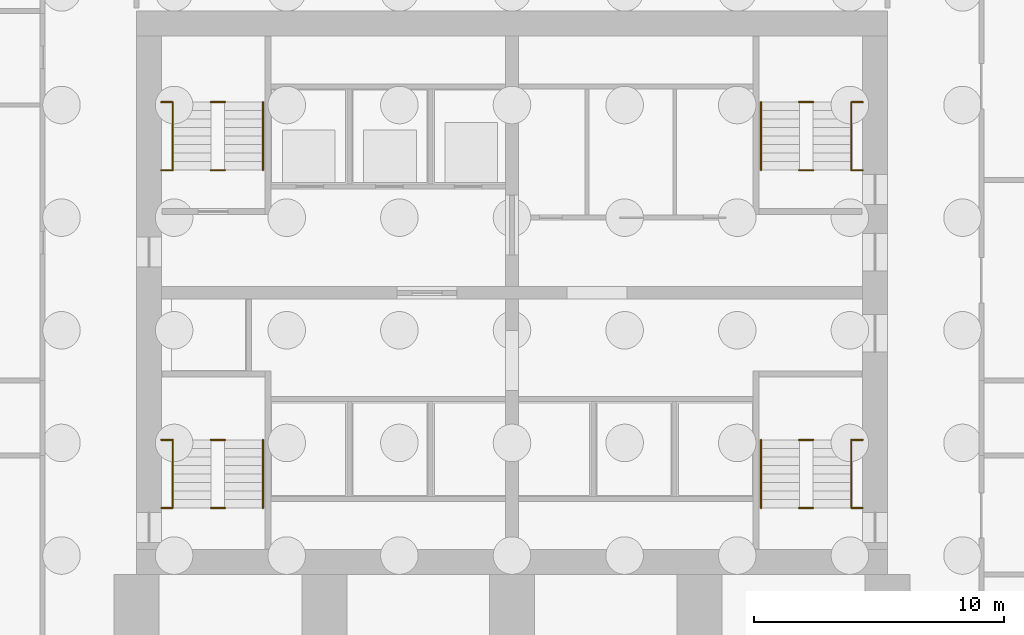
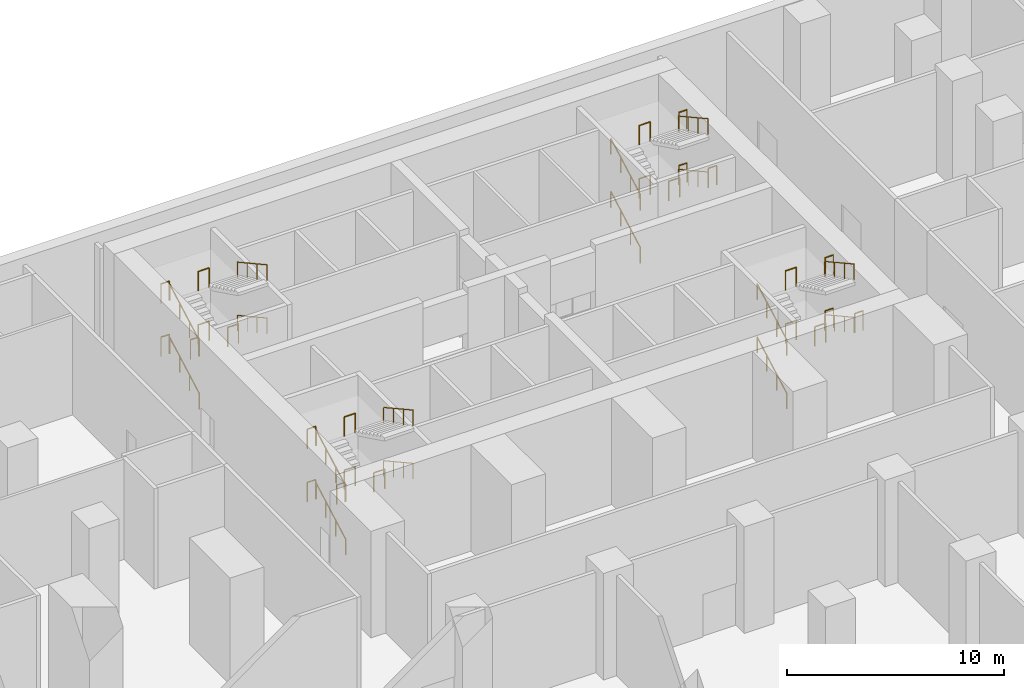
# One storey, part 8 of 9: 40 railings.
"""IFC4 building model written with IfcOpenShell, lengths in metres."""

import ifcopenshell
import ifcopenshell.guid

model = None  # the IFC model being written
_history = None  # IfcOwnerHistory: only IFC2X3 demands one
_inside = {}  # id of a spatial element -> (the spatial element, [elements in it])
_under = {}  # id of a project, library or spatial element -> (it, [spatial elements below it])
_declared = {}  # id of a project -> (the project, [libraries it declares])
_typed = {}  # id of a type object -> (the type object, [elements of that type])
_made_of = {}  # id of a material, layer set ... -> (it, [elements and type objects made of it])


def new_model(schema):
    """Start an empty IFC model of exactly this schema.

    Asked for "IFC4X3", IfcOpenShell would pick the latest addendum, in which some entities
    have other attributes; the version numbers below select the first issue.
    IFC2X3 requires an IfcOwnerHistory on every rooted entity: one is made here for all.
    """
    global model, _history
    if schema == "IFC4X3":
        model = ifcopenshell.file(schema_version=(4, 3, 0, 0))
    else:
        model = ifcopenshell.file(schema=schema)
    _inside.clear()
    _under.clear()
    _declared.clear()
    _typed.clear()
    _made_of.clear()
    _history = None
    if model.schema == "IFC2X3":
        org = make("IfcOrganization", Name="unknown")
        user = make(
            "IfcPersonAndOrganization",
            ThePerson=make("IfcPerson", FamilyName="unknown"),
            TheOrganization=org,
        )
        app = make(
            "IfcApplication",
            ApplicationDeveloper=org,
            Version="unknown",
            ApplicationFullName="unknown",
            ApplicationIdentifier="unknown",
        )
        _history = make(
            "IfcOwnerHistory",
            OwningUser=user,
            OwningApplication=app,
            ChangeAction="ADDED",
            CreationDate=0,
        )
    return model


def make(cls, **values):
    """One entity of the class cls with the attributes given. An attribute that is None is left unset."""
    return model.create_entity(
        cls, **{name: value for name, value in values.items() if value is not None}
    )


def rooted(cls, **values):
    """An entity with a GlobalId (a new one), such as an element, a storey or a relation."""
    return make(cls, GlobalId=ifcopenshell.guid.new(), OwnerHistory=_history, **values)


def si_unit(unit_type, name, prefix=None):
    """IfcSIUnit, for example si_unit("LENGTHUNIT", "METRE", prefix="MILLI")."""
    return make("IfcSIUnit", UnitType=unit_type, Prefix=prefix, Name=name)


def assignment(units):
    """IfcUnitAssignment: the units of a project."""
    return None if units is None else make("IfcUnitAssignment", Units=units)


def point(xyz):
    """IfcCartesianPoint."""
    return None if xyz is None else make("IfcCartesianPoint", Coordinates=xyz)


def direction(xyz):
    """IfcDirection."""
    return None if xyz is None else make("IfcDirection", DirectionRatios=xyz)


def frame(location, z_axis=None, x_axis=None):
    """IfcAxis2Placement3D, a coordinate frame: its origin and axes. An axis left out is left unset."""
    return make(
        "IfcAxis2Placement3D",
        Location=point(location),
        Axis=direction(z_axis),
        RefDirection=direction(x_axis),
    )


def frame_2d(location, x_axis=None):
    """IfcAxis2Placement2D, a coordinate frame in the plane: its origin and x axis."""
    return make(
        "IfcAxis2Placement2D", Location=point(location), RefDirection=direction(x_axis)
    )


def origin():
    """The frame at (0, 0, 0) with its axes left unset."""
    return frame((0.0, 0.0, 0.0))


def origin_2d():
    """The frame at (0, 0) in the plane with its x axis left unset."""
    return frame_2d((0.0, 0.0))


def place(relative_to, where):
    """IfcLocalPlacement: puts the frame where relative to a parent placement (None: the world)."""
    return make(
        "IfcLocalPlacement", PlacementRelTo=relative_to, RelativePlacement=where
    )


def context(
    kind, dimensions, precision=None, world=None, true_north=None, identifier=None
):
    """IfcGeometricRepresentationContext, for example the 3D "Model" context."""
    return make(
        "IfcGeometricRepresentationContext",
        ContextIdentifier=identifier,
        ContextType=kind,
        CoordinateSpaceDimension=dimensions,
        Precision=precision,
        WorldCoordinateSystem=world,
        TrueNorth=true_north,
    )


def subcontext(parent, identifier, kind, view, scale=None):
    """IfcGeometricRepresentationSubContext, for example "Body" below "Model"."""
    return make(
        "IfcGeometricRepresentationSubContext",
        ContextIdentifier=identifier,
        ContextType=kind,
        ParentContext=parent,
        TargetScale=scale,
        TargetView=view,
    )


def project(units=None, contexts=None):
    """IfcProject with its units and contexts."""
    return rooted(
        "IfcProject",
        Name="project",
        RepresentationContexts=contexts,
        UnitsInContext=assignment(units),
    )


def spatial(cls, under=None, at=None, **own):
    """A site, building, storey or space (cls), placed at a placement, below another one or the project."""
    s = rooted(cls, ObjectPlacement=at, **own)
    if under is not None:
        _under.setdefault(under.id(), (under, []))[1].append(s)
    return s


def profile(cls, at=None, kind="AREA", **sizes):
    """A parametric profile (cls). Its sizes go by their IFC names, for example OverallWidth=200.0."""
    return make(cls, ProfileType=kind, Position=at, **sizes)


def circle(**sizes):
    """IfcCircleProfileDef."""
    return profile("IfcCircleProfileDef", **sizes)


def extrude(swept, where, along, depth):
    """IfcExtrudedAreaSolid: the profile swept, set in the frame where, extruded along a direction by depth."""
    return make(
        "IfcExtrudedAreaSolid",
        SweptArea=swept,
        Position=where,
        ExtrudedDirection=direction(along),
        Depth=depth,
    )


def shape(context_of_items, identifier, shape_type, items):
    """IfcShapeRepresentation: the items that make up one representation, for example the "Body"."""
    return make(
        "IfcShapeRepresentation",
        ContextOfItems=context_of_items,
        RepresentationIdentifier=identifier,
        RepresentationType=shape_type,
        Items=items,
    )


def material(Name=None, Category=None):
    """IfcMaterial."""
    return make("IfcMaterial", Name=Name, Category=Category)


def made_of(thing, what):
    """Note that an element or type object is made of a material, layer set ...; save() writes the relation."""
    if what is not None:
        _made_of.setdefault(what.id(), (what, []))[1].append(thing)
    return thing


def type_object(cls, material=None, **own):
    """A type object (cls), such as IfcWallType, which elements share."""
    return made_of(rooted(cls, **own), material)


def element(
    cls,
    number,
    at=None,
    inside=None,
    cuts=None,
    type_object=None,
    material=None,
    context=None,
    identifier="Body",
    shape_type=None,
    held_by="IfcProductDefinitionShape",
    body=None,
    shapes=None,
    **own,
):
    """One element of the class cls, such as IfcWall. Its Tag is "e" and its number.

    at: its placement. inside: the storey or other place that contains it. cuts: it is an
    opening in that element (IfcRelVoidsElement). A single representation is given by context,
    identifier, shape_type and body (its items); several are given by shapes. held_by: the class
    of the entity that holds the representations. save() writes the other relations.
    """
    e = rooted(cls, Tag="e%d" % number, ObjectPlacement=at, **own)
    if body is not None:
        shapes = [shape(context, identifier, shape_type, body)]
    if shapes is not None:
        e.Representation = make(held_by, Representations=shapes)
    if inside is not None:
        _inside.setdefault(inside.id(), (inside, []))[1].append(e)
    if cuts is not None:
        rooted(
            "IfcRelVoidsElement", RelatingBuildingElement=cuts, RelatedOpeningElement=e
        )
    if type_object is not None:
        _typed.setdefault(type_object.id(), (type_object, []))[1].append(e)
    return made_of(e, material)


def aggregate(whole, parts):
    """IfcRelAggregates: a whole, such as a stair, and the parts it consists of."""
    return rooted("IfcRelAggregates", RelatingObject=whole, RelatedObjects=parts)


def save(model, path):
    """Write the relations noted so far, then the file.

    IfcRelAggregates (storeys below a building ...), IfcRelContainedInSpatialStructure (elements
    in a storey), IfcRelDefinesByType, IfcRelAssociatesMaterial and IfcRelDeclares: one each for
    every whole, place, type object, material and project.
    """
    for whole, parts in _under.values():
        aggregate(whole, parts)
    for where, things in _inside.values():
        rooted(
            "IfcRelContainedInSpatialStructure",
            RelatedElements=things,
            RelatingStructure=where,
        )
    for kind, things in _typed.values():
        rooted("IfcRelDefinesByType", RelatedObjects=things, RelatingType=kind)
    for what, things in _made_of.values():
        rooted("IfcRelAssociatesMaterial", RelatedObjects=things, RelatingMaterial=what)
    for by, libraries in _declared.values():
        rooted("IfcRelDeclares", RelatingContext=by, RelatedDefinitions=libraries)
    model.write(path)


model = new_model("IFC4")

# Units and contexts
model_context = context("Model", 3, precision=1e-05, world=origin(), true_north=direction((0.0, 1.0)))
body_context = subcontext(model_context, "Body", "Model", "MODEL_VIEW")
ifc_project = project(units=[si_unit("LENGTHUNIT", "METRE"), si_unit("AREAUNIT", "SQUARE_METRE"), si_unit("VOLUMEUNIT", "CUBIC_METRE"), si_unit("PLANEANGLEUNIT", "RADIAN"), si_unit("MASSUNIT", "GRAM", prefix="KILO")], contexts=[model_context])

# Site, building, storey
site_placement = place(None, origin())
site = spatial("IfcSite", under=ifc_project, at=site_placement, CompositionType="ELEMENT")
building_placement = place(site_placement, origin())
building = spatial("IfcBuilding", under=site, at=building_placement, Name="Pilkhan Gate Tower", CompositionType="ELEMENT")
storey_placement = place(building_placement, frame((0.0, 0.0, -6.0)))
storey = spatial("IfcBuildingStorey", under=building, at=storey_placement, Name="B1", CompositionType="ELEMENT", Elevation=-6.0)

# Railings
ifc_material_1 = material(Name="Black powder-coated steel tube", Category="steel")
railing_type_1 = type_object("IfcRailingType", Name="Stair handrail HR1", PredefinedType="HANDRAIL", material=ifc_material_1)
railing_1_placement = place(storey_placement, frame((84.949951171875, 73.89990234375, 0.0)))
element("IfcRailing", 1, at=railing_1_placement, inside=storey, type_object=railing_type_1, Name="Stair ST1 handrail B1", PredefinedType="HANDRAIL", context=body_context, shape_type="SweptSolid", body=[
    extrude(circle(Radius=0.02392578125, at=origin_2d()), frame((0.0, 0.0, 0.8759765625), z_axis=(0.0, 0.875687706403, 0.482877873644), x_axis=(-1.0, 0.0, 0.0)), (0.0, 0.0, 1.0), 3.1064453125),
    extrude(circle(Radius=0.02099609375, at=origin_2d()), origin(), (0.0, 0.0, 1.0), 0.851806640625),
    extrude(circle(Radius=0.02099609375, at=origin_2d()), frame((0.0, 0.90673828125, 0.5)), (0.0, 0.0, 1.0), 0.851806640625),
    extrude(circle(Radius=0.02099609375, at=origin_2d()), frame((0.0, 1.8134765625, 1.0)), (0.0, 0.0, 1.0), 0.851806640625),
    extrude(circle(Radius=0.02099609375, at=origin_2d()), frame((0.0, 2.72021484375, 1.5)), (0.0, 0.0, 1.0), 0.851806640625),
])
railing_2_placement = place(storey_placement, frame((88.550048828125, 76.6201171875, 1.5)))
element("IfcRailing", 2, at=railing_2_placement, inside=storey, type_object=railing_type_1, Name="Stair ST1 handrail B1", PredefinedType="HANDRAIL", context=body_context, shape_type="SweptSolid", body=[
    extrude(circle(Radius=0.02392578125, at=origin_2d()), frame((0.0, 0.0, 0.8759765625), z_axis=(0.0, -0.875687706403, 0.482877873644), x_axis=(1.0, 0.0, 0.0)), (0.0, 0.0, 1.0), 3.1064453125),
    extrude(circle(Radius=0.02099609375, at=origin_2d()), origin(), (0.0, 0.0, 1.0), 0.851806640625),
    extrude(circle(Radius=0.02099609375, at=origin_2d()), frame((0.0, -0.90673828125, 0.5)), (0.0, 0.0, 1.0), 0.851806640625),
    extrude(circle(Radius=0.02099609375, at=origin_2d()), frame((0.0, -1.8134765625, 1.0)), (0.0, 0.0, 1.0), 0.851806640625),
    extrude(circle(Radius=0.02099609375, at=origin_2d()), frame((0.0, -2.72021484375, 1.5)), (0.0, 0.0, 1.0), 0.851806640625),
])
railing_3_placement = place(storey_placement, frame((84.949951171875, 73.89990234375, 3.0)))
element("IfcRailing", 3, at=railing_3_placement, inside=storey, type_object=railing_type_1, Name="Stair ST1 handrail B1", PredefinedType="HANDRAIL", context=body_context, shape_type="SweptSolid", body=[
    extrude(circle(Radius=0.02392578125, at=origin_2d()), frame((0.0, 0.0, 0.8759765625), z_axis=(0.0, 0.875687706403, 0.482877873644), x_axis=(-1.0, 0.0, 0.0)), (0.0, 0.0, 1.0), 3.1064453125),
    extrude(circle(Radius=0.02099609375, at=origin_2d()), origin(), (0.0, 0.0, 1.0), 0.851806640625),
    extrude(circle(Radius=0.02099609375, at=origin_2d()), frame((0.0, 0.90673828125, 0.5)), (0.0, 0.0, 1.0), 0.851806640625),
    extrude(circle(Radius=0.02099609375, at=origin_2d()), frame((0.0, 1.8134765625, 1.0)), (0.0, 0.0, 1.0), 0.851806640625),
    extrude(circle(Radius=0.02099609375, at=origin_2d()), frame((0.0, 2.72021484375, 1.5)), (0.0, 0.0, 1.0), 0.851806640625),
])
railing_4_placement = place(storey_placement, frame((88.550048828125, 76.6201171875, 4.5)))
element("IfcRailing", 4, at=railing_4_placement, inside=storey, type_object=railing_type_1, Name="Stair ST1 handrail B1", PredefinedType="HANDRAIL", context=body_context, shape_type="SweptSolid", body=[
    extrude(circle(Radius=0.02392578125, at=origin_2d()), frame((0.0, 0.0, 0.8759765625), z_axis=(0.0, -0.875687706403, 0.482877873644), x_axis=(1.0, 0.0, 0.0)), (0.0, 0.0, 1.0), 3.1064453125),
    extrude(circle(Radius=0.02099609375, at=origin_2d()), origin(), (0.0, 0.0, 1.0), 0.851806640625),
    extrude(circle(Radius=0.02099609375, at=origin_2d()), frame((0.0, -0.90673828125, 0.5)), (0.0, 0.0, 1.0), 0.851806640625),
    extrude(circle(Radius=0.02099609375, at=origin_2d()), frame((0.0, -1.8134765625, 1.0)), (0.0, 0.0, 1.0), 0.851806640625),
    extrude(circle(Radius=0.02099609375, at=origin_2d()), frame((0.0, -2.72021484375, 1.5)), (0.0, 0.0, 1.0), 0.851806640625),
])
railing_5_placement = place(storey_placement, frame((61.449951171875, 73.89990234375, 0.0)))
element("IfcRailing", 5, at=railing_5_placement, inside=storey, type_object=railing_type_1, Name="Stair ST2 handrail B1", PredefinedType="HANDRAIL", context=body_context, shape_type="SweptSolid", body=[
    extrude(circle(Radius=0.02392578125, at=origin_2d()), frame((0.0, 0.0, 0.8759765625), z_axis=(0.0, 0.875687706403, 0.482877873644), x_axis=(-1.0, 0.0, 0.0)), (0.0, 0.0, 1.0), 3.1064453125),
    extrude(circle(Radius=0.02099609375, at=origin_2d()), origin(), (0.0, 0.0, 1.0), 0.851806640625),
    extrude(circle(Radius=0.02099609375, at=origin_2d()), frame((0.0, 0.90673828125, 0.5)), (0.0, 0.0, 1.0), 0.851806640625),
    extrude(circle(Radius=0.02099609375, at=origin_2d()), frame((0.0, 1.8134765625, 1.0)), (0.0, 0.0, 1.0), 0.851806640625),
    extrude(circle(Radius=0.02099609375, at=origin_2d()), frame((0.0, 2.72021484375, 1.5)), (0.0, 0.0, 1.0), 0.851806640625),
])
railing_6_placement = place(storey_placement, frame((65.050048828125, 76.6201171875, 1.5)))
element("IfcRailing", 6, at=railing_6_placement, inside=storey, type_object=railing_type_1, Name="Stair ST2 handrail B1", PredefinedType="HANDRAIL", context=body_context, shape_type="SweptSolid", body=[
    extrude(circle(Radius=0.02392578125, at=origin_2d()), frame((0.0, 0.0, 0.8759765625), z_axis=(0.0, -0.875687706403, 0.482877873644), x_axis=(1.0, 0.0, 0.0)), (0.0, 0.0, 1.0), 3.1064453125),
    extrude(circle(Radius=0.02099609375, at=origin_2d()), origin(), (0.0, 0.0, 1.0), 0.851806640625),
    extrude(circle(Radius=0.02099609375, at=origin_2d()), frame((0.0, -0.90673828125, 0.5)), (0.0, 0.0, 1.0), 0.851806640625),
    extrude(circle(Radius=0.02099609375, at=origin_2d()), frame((0.0, -1.8134765625, 1.0)), (0.0, 0.0, 1.0), 0.851806640625),
    extrude(circle(Radius=0.02099609375, at=origin_2d()), frame((0.0, -2.72021484375, 1.5)), (0.0, 0.0, 1.0), 0.851806640625),
])
railing_7_placement = place(storey_placement, frame((61.449951171875, 73.89990234375, 3.0)))
element("IfcRailing", 7, at=railing_7_placement, inside=storey, type_object=railing_type_1, Name="Stair ST2 handrail B1", PredefinedType="HANDRAIL", context=body_context, shape_type="SweptSolid", body=[
    extrude(circle(Radius=0.02392578125, at=origin_2d()), frame((0.0, 0.0, 0.8759765625), z_axis=(0.0, 0.875687706403, 0.482877873644), x_axis=(-1.0, 0.0, 0.0)), (0.0, 0.0, 1.0), 3.1064453125),
    extrude(circle(Radius=0.02099609375, at=origin_2d()), origin(), (0.0, 0.0, 1.0), 0.851806640625),
    extrude(circle(Radius=0.02099609375, at=origin_2d()), frame((0.0, 0.90673828125, 0.5)), (0.0, 0.0, 1.0), 0.851806640625),
    extrude(circle(Radius=0.02099609375, at=origin_2d()), frame((0.0, 1.8134765625, 1.0)), (0.0, 0.0, 1.0), 0.851806640625),
    extrude(circle(Radius=0.02099609375, at=origin_2d()), frame((0.0, 2.72021484375, 1.5)), (0.0, 0.0, 1.0), 0.851806640625),
])
railing_8_placement = place(storey_placement, frame((65.050048828125, 76.6201171875, 4.5)))
element("IfcRailing", 8, at=railing_8_placement, inside=storey, type_object=railing_type_1, Name="Stair ST2 handrail B1", PredefinedType="HANDRAIL", context=body_context, shape_type="SweptSolid", body=[
    extrude(circle(Radius=0.02392578125, at=origin_2d()), frame((0.0, 0.0, 0.8759765625), z_axis=(0.0, -0.875687706403, 0.482877873644), x_axis=(1.0, 0.0, 0.0)), (0.0, 0.0, 1.0), 3.1064453125),
    extrude(circle(Radius=0.02099609375, at=origin_2d()), origin(), (0.0, 0.0, 1.0), 0.851806640625),
    extrude(circle(Radius=0.02099609375, at=origin_2d()), frame((0.0, -0.90673828125, 0.5)), (0.0, 0.0, 1.0), 0.851806640625),
    extrude(circle(Radius=0.02099609375, at=origin_2d()), frame((0.0, -1.8134765625, 1.0)), (0.0, 0.0, 1.0), 0.851806640625),
    extrude(circle(Radius=0.02099609375, at=origin_2d()), frame((0.0, -2.72021484375, 1.5)), (0.0, 0.0, 1.0), 0.851806640625),
])
railing_9_placement = place(storey_placement, frame((61.449951171875, 87.39990234375, 0.0)))
element("IfcRailing", 9, at=railing_9_placement, inside=storey, type_object=railing_type_1, Name="Stair ST3 handrail B1", PredefinedType="HANDRAIL", context=body_context, shape_type="SweptSolid", body=[
    extrude(circle(Radius=0.02392578125, at=origin_2d()), frame((0.0, 0.0, 0.8759765625), z_axis=(0.0, 0.875687706403, 0.482877873644), x_axis=(-1.0, 0.0, 0.0)), (0.0, 0.0, 1.0), 3.1064453125),
    extrude(circle(Radius=0.02099609375, at=origin_2d()), origin(), (0.0, 0.0, 1.0), 0.851806640625),
    extrude(circle(Radius=0.02099609375, at=origin_2d()), frame((0.0, 0.90673828125, 0.5)), (0.0, 0.0, 1.0), 0.851806640625),
    extrude(circle(Radius=0.02099609375, at=origin_2d()), frame((0.0, 1.8134765625, 1.0)), (0.0, 0.0, 1.0), 0.851806640625),
    extrude(circle(Radius=0.02099609375, at=origin_2d()), frame((0.0, 2.72021484375, 1.5)), (0.0, 0.0, 1.0), 0.851806640625),
])
railing_10_placement = place(storey_placement, frame((65.050048828125, 90.1201171875, 1.5)))
element("IfcRailing", 10, at=railing_10_placement, inside=storey, type_object=railing_type_1, Name="Stair ST3 handrail B1", PredefinedType="HANDRAIL", context=body_context, shape_type="SweptSolid", body=[
    extrude(circle(Radius=0.02392578125, at=origin_2d()), frame((0.0, 0.0, 0.8759765625), z_axis=(0.0, -0.875687706403, 0.482877873644), x_axis=(1.0, 0.0, 0.0)), (0.0, 0.0, 1.0), 3.1064453125),
    extrude(circle(Radius=0.02099609375, at=origin_2d()), origin(), (0.0, 0.0, 1.0), 0.851806640625),
    extrude(circle(Radius=0.02099609375, at=origin_2d()), frame((0.0, -0.90673828125, 0.5)), (0.0, 0.0, 1.0), 0.851806640625),
    extrude(circle(Radius=0.02099609375, at=origin_2d()), frame((0.0, -1.8134765625, 1.0)), (0.0, 0.0, 1.0), 0.851806640625),
    extrude(circle(Radius=0.02099609375, at=origin_2d()), frame((0.0, -2.72021484375, 1.5)), (0.0, 0.0, 1.0), 0.851806640625),
])
railing_11_placement = place(storey_placement, frame((61.449951171875, 87.39990234375, 3.0)))
element("IfcRailing", 11, at=railing_11_placement, inside=storey, type_object=railing_type_1, Name="Stair ST3 handrail B1", PredefinedType="HANDRAIL", context=body_context, shape_type="SweptSolid", body=[
    extrude(circle(Radius=0.02392578125, at=origin_2d()), frame((0.0, 0.0, 0.8759765625), z_axis=(0.0, 0.875687706403, 0.482877873644), x_axis=(-1.0, 0.0, 0.0)), (0.0, 0.0, 1.0), 3.1064453125),
    extrude(circle(Radius=0.02099609375, at=origin_2d()), origin(), (0.0, 0.0, 1.0), 0.851806640625),
    extrude(circle(Radius=0.02099609375, at=origin_2d()), frame((0.0, 0.90673828125, 0.5)), (0.0, 0.0, 1.0), 0.851806640625),
    extrude(circle(Radius=0.02099609375, at=origin_2d()), frame((0.0, 1.8134765625, 1.0)), (0.0, 0.0, 1.0), 0.851806640625),
    extrude(circle(Radius=0.02099609375, at=origin_2d()), frame((0.0, 2.72021484375, 1.5)), (0.0, 0.0, 1.0), 0.851806640625),
])
railing_12_placement = place(storey_placement, frame((65.050048828125, 90.1201171875, 4.5)))
element("IfcRailing", 12, at=railing_12_placement, inside=storey, type_object=railing_type_1, Name="Stair ST3 handrail B1", PredefinedType="HANDRAIL", context=body_context, shape_type="SweptSolid", body=[
    extrude(circle(Radius=0.02392578125, at=origin_2d()), frame((0.0, 0.0, 0.8759765625), z_axis=(0.0, -0.875687706403, 0.482877873644), x_axis=(1.0, 0.0, 0.0)), (0.0, 0.0, 1.0), 3.1064453125),
    extrude(circle(Radius=0.02099609375, at=origin_2d()), origin(), (0.0, 0.0, 1.0), 0.851806640625),
    extrude(circle(Radius=0.02099609375, at=origin_2d()), frame((0.0, -0.90673828125, 0.5)), (0.0, 0.0, 1.0), 0.851806640625),
    extrude(circle(Radius=0.02099609375, at=origin_2d()), frame((0.0, -1.8134765625, 1.0)), (0.0, 0.0, 1.0), 0.851806640625),
    extrude(circle(Radius=0.02099609375, at=origin_2d()), frame((0.0, -2.72021484375, 1.5)), (0.0, 0.0, 1.0), 0.851806640625),
])
railing_13_placement = place(storey_placement, frame((84.949951171875, 87.39990234375, 0.0)))
element("IfcRailing", 13, at=railing_13_placement, inside=storey, type_object=railing_type_1, Name="Stair ST4 handrail B1", PredefinedType="HANDRAIL", context=body_context, shape_type="SweptSolid", body=[
    extrude(circle(Radius=0.02392578125, at=origin_2d()), frame((0.0, 0.0, 0.8759765625), z_axis=(0.0, 0.875687706403, 0.482877873644), x_axis=(-1.0, 0.0, 0.0)), (0.0, 0.0, 1.0), 3.1064453125),
    extrude(circle(Radius=0.02099609375, at=origin_2d()), origin(), (0.0, 0.0, 1.0), 0.851806640625),
    extrude(circle(Radius=0.02099609375, at=origin_2d()), frame((0.0, 0.90673828125, 0.5)), (0.0, 0.0, 1.0), 0.851806640625),
    extrude(circle(Radius=0.02099609375, at=origin_2d()), frame((0.0, 1.8134765625, 1.0)), (0.0, 0.0, 1.0), 0.851806640625),
    extrude(circle(Radius=0.02099609375, at=origin_2d()), frame((0.0, 2.72021484375, 1.5)), (0.0, 0.0, 1.0), 0.851806640625),
])
railing_14_placement = place(storey_placement, frame((88.550048828125, 90.1201171875, 1.5)))
element("IfcRailing", 14, at=railing_14_placement, inside=storey, type_object=railing_type_1, Name="Stair ST4 handrail B1", PredefinedType="HANDRAIL", context=body_context, shape_type="SweptSolid", body=[
    extrude(circle(Radius=0.02392578125, at=origin_2d()), frame((0.0, 0.0, 0.8759765625), z_axis=(0.0, -0.875687706403, 0.482877873644), x_axis=(1.0, 0.0, 0.0)), (0.0, 0.0, 1.0), 3.1064453125),
    extrude(circle(Radius=0.02099609375, at=origin_2d()), origin(), (0.0, 0.0, 1.0), 0.851806640625),
    extrude(circle(Radius=0.02099609375, at=origin_2d()), frame((0.0, -0.90673828125, 0.5)), (0.0, 0.0, 1.0), 0.851806640625),
    extrude(circle(Radius=0.02099609375, at=origin_2d()), frame((0.0, -1.8134765625, 1.0)), (0.0, 0.0, 1.0), 0.851806640625),
    extrude(circle(Radius=0.02099609375, at=origin_2d()), frame((0.0, -2.72021484375, 1.5)), (0.0, 0.0, 1.0), 0.851806640625),
])
railing_15_placement = place(storey_placement, frame((84.949951171875, 87.39990234375, 3.0)))
element("IfcRailing", 15, at=railing_15_placement, inside=storey, type_object=railing_type_1, Name="Stair ST4 handrail B1", PredefinedType="HANDRAIL", context=body_context, shape_type="SweptSolid", body=[
    extrude(circle(Radius=0.02392578125, at=origin_2d()), frame((0.0, 0.0, 0.8759765625), z_axis=(0.0, 0.875687706403, 0.482877873644), x_axis=(-1.0, 0.0, 0.0)), (0.0, 0.0, 1.0), 3.1064453125),
    extrude(circle(Radius=0.02099609375, at=origin_2d()), origin(), (0.0, 0.0, 1.0), 0.851806640625),
    extrude(circle(Radius=0.02099609375, at=origin_2d()), frame((0.0, 0.90673828125, 0.5)), (0.0, 0.0, 1.0), 0.851806640625),
    extrude(circle(Radius=0.02099609375, at=origin_2d()), frame((0.0, 1.8134765625, 1.0)), (0.0, 0.0, 1.0), 0.851806640625),
    extrude(circle(Radius=0.02099609375, at=origin_2d()), frame((0.0, 2.72021484375, 1.5)), (0.0, 0.0, 1.0), 0.851806640625),
])
railing_16_placement = place(storey_placement, frame((88.550048828125, 90.1201171875, 4.5)))
element("IfcRailing", 16, at=railing_16_placement, inside=storey, type_object=railing_type_1, Name="Stair ST4 handrail B1", PredefinedType="HANDRAIL", context=body_context, shape_type="SweptSolid", body=[
    extrude(circle(Radius=0.02392578125, at=origin_2d()), frame((0.0, 0.0, 0.8759765625), z_axis=(0.0, -0.875687706403, 0.482877873644), x_axis=(1.0, 0.0, 0.0)), (0.0, 0.0, 1.0), 3.1064453125),
    extrude(circle(Radius=0.02099609375, at=origin_2d()), origin(), (0.0, 0.0, 1.0), 0.851806640625),
    extrude(circle(Radius=0.02099609375, at=origin_2d()), frame((0.0, -0.90673828125, 0.5)), (0.0, 0.0, 1.0), 0.851806640625),
    extrude(circle(Radius=0.02099609375, at=origin_2d()), frame((0.0, -1.8134765625, 1.0)), (0.0, 0.0, 1.0), 0.851806640625),
    extrude(circle(Radius=0.02099609375, at=origin_2d()), frame((0.0, -2.72021484375, 1.5)), (0.0, 0.0, 1.0), 0.851806640625),
])
ifc_material_2 = material(Name="Black powder-coated steel balusters", Category="steel")
railing_type_2 = type_object("IfcRailingType", Name="Stair well guard G3", PredefinedType="GUARDRAIL", material=ifc_material_2)
for number, where, name in (
    (17, (88.580078125, 76.6201171875, 1.5), "Stair ST1 well guard B1"),
    (18, (88.580078125, 73.89990234375, 3.0), "Stair ST1 well guard B1"),
    (19, (88.580078125, 76.6201171875, 4.5), "Stair ST1 well guard B1"),
):
    element("IfcRailing", number, at=place(storey_placement, frame(where)), inside=storey, type_object=railing_type_2, Name=name, PredefinedType="GUARDRAIL", context=body_context, shape_type="SweptSolid", body=[
        extrude(circle(Radius=0.02392578125, at=origin_2d()), frame((0.0, 0.0, 1.076171875), z_axis=(1.0, 0.0, 0.0), x_axis=(0.0, 1.0, 0.0)), (0.0, 0.0, 1.0), 0.43994140625),
        extrude(circle(Radius=0.02099609375, at=origin_2d()), origin(), (0.0, 0.0, 1.0), 1.052001953125),
        extrude(circle(Radius=0.02099609375, at=origin_2d()), frame((0.43994140625, 0.0, 0.0)), (0.0, 0.0, 1.0), 1.052001953125),
    ])
for number, where, name in (
    (20, (86.4599609375, 76.6201171875, 1.5), "Stair ST1 well guard B1"),
    (21, (86.4599609375, 73.89990234375, 3.0), "Stair ST1 well guard B1"),
    (22, (86.4599609375, 76.6201171875, 4.5), "Stair ST1 well guard B1"),
):
    element("IfcRailing", number, at=place(storey_placement, frame(where)), inside=storey, type_object=railing_type_2, Name=name, PredefinedType="GUARDRAIL", context=body_context, shape_type="SweptSolid", body=[
        extrude(circle(Radius=0.02392578125, at=origin_2d()), frame((0.0, 0.0, 1.076171875), z_axis=(1.0, 0.0, 0.0), x_axis=(0.0, 1.0, 0.0)), (0.0, 0.0, 1.0), 0.580078125),
        extrude(circle(Radius=0.02099609375, at=origin_2d()), origin(), (0.0, 0.0, 1.0), 1.052001953125),
        extrude(circle(Radius=0.02099609375, at=origin_2d()), frame((0.580078125, 0.0, 0.0)), (0.0, 0.0, 1.0), 1.052001953125),
    ])
for number, where, name in (
    (23, (60.97998046875, 76.6201171875, 1.5), "Stair ST2 well guard B1"),
    (24, (60.97998046875, 73.89990234375, 3.0), "Stair ST2 well guard B1"),
    (25, (60.97998046875, 76.6201171875, 4.5), "Stair ST2 well guard B1"),
):
    element("IfcRailing", number, at=place(storey_placement, frame(where)), inside=storey, type_object=railing_type_2, Name=name, PredefinedType="GUARDRAIL", context=body_context, shape_type="SweptSolid", body=[
        extrude(circle(Radius=0.02392578125, at=origin_2d()), frame((0.0, 0.0, 1.076171875), z_axis=(1.0, 0.0, 0.0), x_axis=(0.0, 1.0, 0.0)), (0.0, 0.0, 1.0), 0.43994140625),
        extrude(circle(Radius=0.02099609375, at=origin_2d()), origin(), (0.0, 0.0, 1.0), 1.052001953125),
        extrude(circle(Radius=0.02099609375, at=origin_2d()), frame((0.43994140625, 0.0, 0.0)), (0.0, 0.0, 1.0), 1.052001953125),
    ])
for number, where, name in (
    (26, (62.9599609375, 76.6201171875, 1.5), "Stair ST2 well guard B1"),
    (27, (62.9599609375, 73.89990234375, 3.0), "Stair ST2 well guard B1"),
    (28, (62.9599609375, 76.6201171875, 4.5), "Stair ST2 well guard B1"),
):
    element("IfcRailing", number, at=place(storey_placement, frame(where)), inside=storey, type_object=railing_type_2, Name=name, PredefinedType="GUARDRAIL", context=body_context, shape_type="SweptSolid", body=[
        extrude(circle(Radius=0.02392578125, at=origin_2d()), frame((0.0, 0.0, 1.076171875), z_axis=(1.0, 0.0, 0.0), x_axis=(0.0, 1.0, 0.0)), (0.0, 0.0, 1.0), 0.580078125),
        extrude(circle(Radius=0.02099609375, at=origin_2d()), origin(), (0.0, 0.0, 1.0), 1.052001953125),
        extrude(circle(Radius=0.02099609375, at=origin_2d()), frame((0.580078125, 0.0, 0.0)), (0.0, 0.0, 1.0), 1.052001953125),
    ])
for number, where, name in (
    (29, (60.97998046875, 90.1201171875, 1.5), "Stair ST3 well guard B1"),
    (30, (60.97998046875, 87.39990234375, 3.0), "Stair ST3 well guard B1"),
    (31, (60.97998046875, 90.1201171875, 4.5), "Stair ST3 well guard B1"),
):
    element("IfcRailing", number, at=place(storey_placement, frame(where)), inside=storey, type_object=railing_type_2, Name=name, PredefinedType="GUARDRAIL", context=body_context, shape_type="SweptSolid", body=[
        extrude(circle(Radius=0.02392578125, at=origin_2d()), frame((0.0, 0.0, 1.076171875), z_axis=(1.0, 0.0, 0.0), x_axis=(0.0, 1.0, 0.0)), (0.0, 0.0, 1.0), 0.43994140625),
        extrude(circle(Radius=0.02099609375, at=origin_2d()), origin(), (0.0, 0.0, 1.0), 1.052001953125),
        extrude(circle(Radius=0.02099609375, at=origin_2d()), frame((0.43994140625, 0.0, 0.0)), (0.0, 0.0, 1.0), 1.052001953125),
    ])
for number, where, name in (
    (32, (62.9599609375, 90.1201171875, 1.5), "Stair ST3 well guard B1"),
    (33, (62.9599609375, 87.39990234375, 3.0), "Stair ST3 well guard B1"),
    (34, (62.9599609375, 90.1201171875, 4.5), "Stair ST3 well guard B1"),
):
    element("IfcRailing", number, at=place(storey_placement, frame(where)), inside=storey, type_object=railing_type_2, Name=name, PredefinedType="GUARDRAIL", context=body_context, shape_type="SweptSolid", body=[
        extrude(circle(Radius=0.02392578125, at=origin_2d()), frame((0.0, 0.0, 1.076171875), z_axis=(1.0, 0.0, 0.0), x_axis=(0.0, 1.0, 0.0)), (0.0, 0.0, 1.0), 0.580078125),
        extrude(circle(Radius=0.02099609375, at=origin_2d()), origin(), (0.0, 0.0, 1.0), 1.052001953125),
        extrude(circle(Radius=0.02099609375, at=origin_2d()), frame((0.580078125, 0.0, 0.0)), (0.0, 0.0, 1.0), 1.052001953125),
    ])
for number, where, name in (
    (35, (88.580078125, 90.1201171875, 1.5), "Stair ST4 well guard B1"),
    (36, (88.580078125, 87.39990234375, 3.0), "Stair ST4 well guard B1"),
    (37, (88.580078125, 90.1201171875, 4.5), "Stair ST4 well guard B1"),
):
    element("IfcRailing", number, at=place(storey_placement, frame(where)), inside=storey, type_object=railing_type_2, Name=name, PredefinedType="GUARDRAIL", context=body_context, shape_type="SweptSolid", body=[
        extrude(circle(Radius=0.02392578125, at=origin_2d()), frame((0.0, 0.0, 1.076171875), z_axis=(1.0, 0.0, 0.0), x_axis=(0.0, 1.0, 0.0)), (0.0, 0.0, 1.0), 0.43994140625),
        extrude(circle(Radius=0.02099609375, at=origin_2d()), origin(), (0.0, 0.0, 1.0), 1.052001953125),
        extrude(circle(Radius=0.02099609375, at=origin_2d()), frame((0.43994140625, 0.0, 0.0)), (0.0, 0.0, 1.0), 1.052001953125),
    ])
for number, where, name in (
    (38, (86.4599609375, 90.1201171875, 1.5), "Stair ST4 well guard B1"),
    (39, (86.4599609375, 87.39990234375, 3.0), "Stair ST4 well guard B1"),
    (40, (86.4599609375, 90.1201171875, 4.5), "Stair ST4 well guard B1"),
):
    element("IfcRailing", number, at=place(storey_placement, frame(where)), inside=storey, type_object=railing_type_2, Name=name, PredefinedType="GUARDRAIL", context=body_context, shape_type="SweptSolid", body=[
        extrude(circle(Radius=0.02392578125, at=origin_2d()), frame((0.0, 0.0, 1.076171875), z_axis=(1.0, 0.0, 0.0), x_axis=(0.0, 1.0, 0.0)), (0.0, 0.0, 1.0), 0.580078125),
        extrude(circle(Radius=0.02099609375, at=origin_2d()), origin(), (0.0, 0.0, 1.0), 1.052001953125),
        extrude(circle(Radius=0.02099609375, at=origin_2d()), frame((0.580078125, 0.0, 0.0)), (0.0, 0.0, 1.0), 1.052001953125),
    ])

save(model, "model.ifc")
